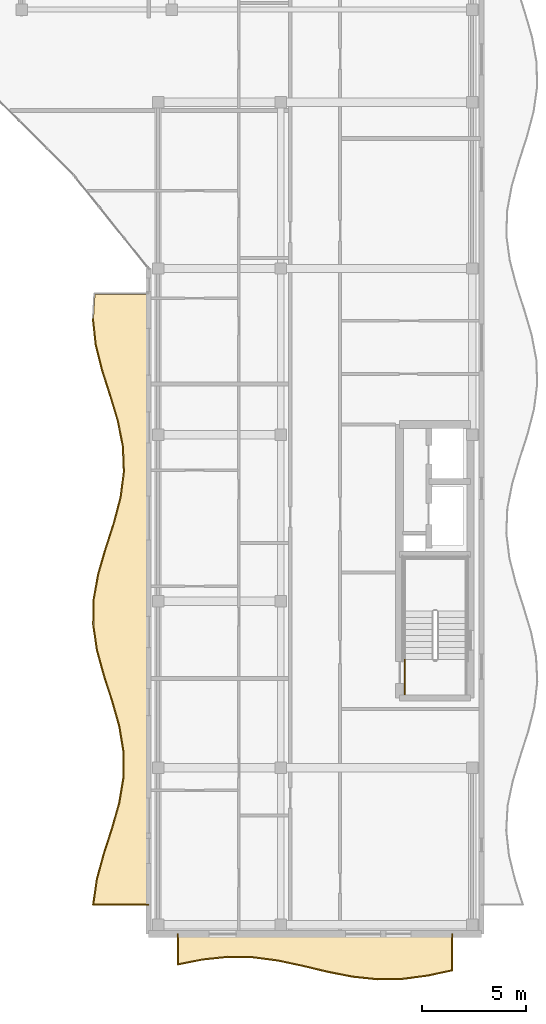
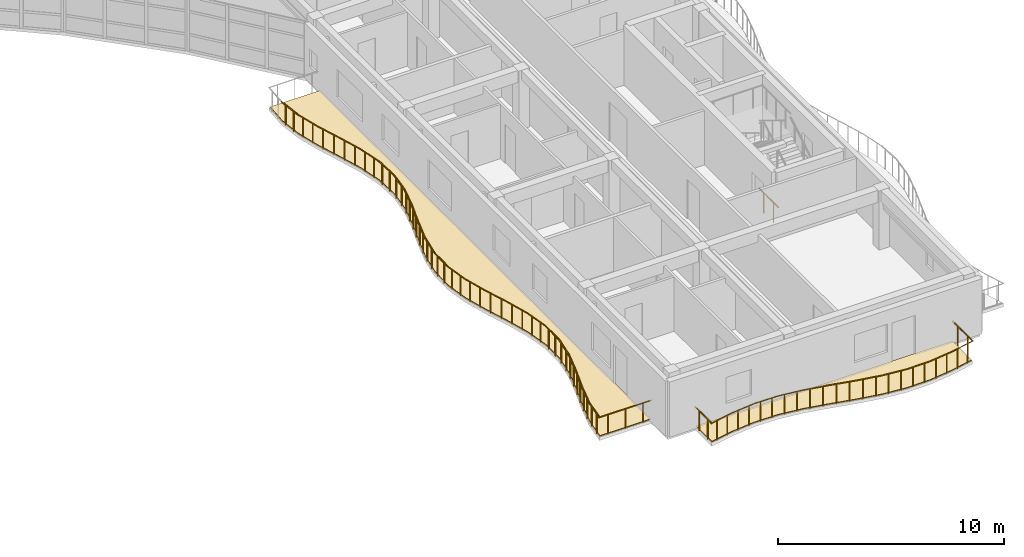
# One storey, part 49 of 54: 38 railings, 2 coverings.
"""IFC4 building model written with IfcOpenShell, lengths in metres."""

from ifc_helpers import new_model, si_unit, direction, frame, origin, origin_2d, place, context, subcontext, project, spatial, polyline, circle, outline, extrude, material, layer, layer_set, type_object, element, save


model = new_model("IFC4")

# Units and contexts
model_context = context("Model", 3, precision=1e-05, world=origin(), true_north=direction((0.0, 1.0)))
body_context = subcontext(model_context, "Body", "Model", "MODEL_VIEW")
ifc_project = project(units=[si_unit("LENGTHUNIT", "METRE"), si_unit("AREAUNIT", "SQUARE_METRE"), si_unit("VOLUMEUNIT", "CUBIC_METRE"), si_unit("PLANEANGLEUNIT", "RADIAN"), si_unit("MASSUNIT", "GRAM", prefix="KILO")], contexts=[model_context])

# Site, building, storey
site_placement = place(None, origin())
site = spatial("IfcSite", under=ifc_project, at=site_placement, CompositionType="ELEMENT")
building_placement = place(site_placement, origin())
building = spatial("IfcBuilding", under=site, at=building_placement, Name="Keldmere Railside Commons", CompositionType="ELEMENT")
storey_placement = place(building_placement, frame((0.0, 0.0, 26.56005859375)))
storey = spatial("IfcBuildingStorey", under=building, at=storey_placement, Name="L08", CompositionType="ELEMENT", Elevation=26.56005859375)

# Railings
ifc_material_1 = material(Name="Steel F-24 (S235)", Category="steel")
railing_type_1 = type_object("IfcRailingType", Name="Balcony & Terrace Steel Balustrade 1100", PredefinedType="BALUSTRADE", material=ifc_material_1)
railing_1_placement = place(storey_placement, frame((168.0, 57.39990234375, 0.0)))
element("IfcRailing", 1, at=railing_1_placement, inside=storey, type_object=railing_type_1, Name="GR-1 GRD-L08-4118", PredefinedType="BALUSTRADE", context=body_context, shape_type="SweptSolid", body=[
    extrude(circle(Radius=0.02392578125, at=origin_2d()), frame((0.0, 0.0, 1.076171875), z_axis=(-1.0, 0.0, 0.0), x_axis=(0.0, -1.0, 0.0)), (0.0, 0.0, 1.0), 2.685546875),
    extrude(circle(Radius=0.02099609375, at=origin_2d()), frame((-0.447509765625, 0.0, 0.0)), (0.0, 0.0, 1.0), 1.048095703125),
    extrude(circle(Radius=0.02099609375, at=origin_2d()), frame((-1.3427734375, 0.0, 0.0)), (0.0, 0.0, 1.0), 1.048095703125),
    extrude(circle(Radius=0.02099609375, at=origin_2d()), frame((-2.238037109375, 0.0, 0.0)), (0.0, 0.0, 1.0), 1.048095703125),
])
railing_2_placement = place(storey_placement, frame((165.314453125, 57.39990234375, 0.0)))
element("IfcRailing", 2, at=railing_2_placement, inside=storey, type_object=railing_type_1, Name="GR-1 GRD-L08-4119", PredefinedType="BALUSTRADE", context=body_context, shape_type="SweptSolid", body=[
    extrude(circle(Radius=0.02392578125, at=origin_2d()), frame((0.0, 0.0, 1.076171875), z_axis=(0.142995109875, 0.98972339497, 0.0), x_axis=(-0.98972339497, 0.142995109875, 0.0)), (0.0, 0.0, 1.0), 1.23779296875),
    extrude(circle(Radius=0.02099609375, at=origin_2d()), frame((0.044189453125, 0.30615234375, 0.0)), (0.0, 0.0, 1.0), 1.048095703125),
    extrude(circle(Radius=0.02099609375, at=origin_2d()), frame((0.1328125, 0.9189453125, 0.0)), (0.0, 0.0, 1.0), 1.048095703125),
])
railing_3_placement = place(storey_placement, frame((165.491455078125, 58.625, 0.0)))
element("IfcRailing", 3, at=railing_3_placement, inside=storey, type_object=railing_type_1, Name="GR-1 GRD-L08-4120", PredefinedType="BALUSTRADE", context=body_context, shape_type="SweptSolid", body=[
    extrude(circle(Radius=0.02392578125, at=origin_2d()), frame((0.0, 0.0, 1.076171875), z_axis=(0.262124627967, 0.965034030184, 0.0), x_axis=(-0.965034030184, 0.262124627967, 0.0)), (0.0, 0.0, 1.0), 1.26953125),
    extrude(circle(Radius=0.02099609375, at=origin_2d()), frame((0.083251953125, 0.30615234375, 0.0)), (0.0, 0.0, 1.0), 1.048095703125),
    extrude(circle(Radius=0.02099609375, at=origin_2d()), frame((0.24951171875, 0.9189453125, 0.0)), (0.0, 0.0, 1.0), 1.048095703125),
])
railing_4_placement = place(storey_placement, frame((165.82421875, 59.85009765625, 0.0)))
element("IfcRailing", 4, at=railing_4_placement, inside=storey, type_object=railing_type_1, Name="GR-1 GRD-L08-4121", PredefinedType="BALUSTRADE", context=body_context, shape_type="SweptSolid", body=[
    extrude(circle(Radius=0.02392578125, at=origin_2d()), frame((0.0, 0.0, 1.076171875), z_axis=(0.307623344655, 0.951508212168, 0.0), x_axis=(-0.951508212168, 0.307623344655, 0.0)), (0.0, 0.0, 1.0), 1.287353515625),
    extrude(circle(Radius=0.02099609375, at=origin_2d()), frame((0.09912109375, 0.30615234375, 0.0)), (0.0, 0.0, 1.0), 1.048095703125),
    extrude(circle(Radius=0.02099609375, at=origin_2d()), frame((0.296875, 0.918701171875, 0.0)), (0.0, 0.0, 1.0), 1.048095703125),
])
railing_5_placement = place(storey_placement, frame((166.22021484375, 61.074951171875, 0.0)))
element("IfcRailing", 5, at=railing_5_placement, inside=storey, type_object=railing_type_1, Name="GR-1 GRD-L08-4122", PredefinedType="BALUSTRADE", context=body_context, shape_type="SweptSolid", body=[
    extrude(circle(Radius=0.02392578125, at=origin_2d()), frame((0.0, 0.0, 1.076171875), z_axis=(0.2735310389, 0.961863176735, 0.0), x_axis=(-0.961863176735, 0.2735310389, 0.0)), (0.0, 0.0, 1.0), 1.273681640625),
    extrude(circle(Radius=0.02099609375, at=origin_2d()), frame((0.087158203125, 0.30615234375, 0.0)), (0.0, 0.0, 1.0), 1.048095703125),
    extrude(circle(Radius=0.02099609375, at=origin_2d()), frame((0.26123046875, 0.9189453125, 0.0)), (0.0, 0.0, 1.0), 1.048095703125),
])
railing_6_placement = place(storey_placement, frame((166.568603515625, 62.300048828125, 0.0)))
element("IfcRailing", 6, at=railing_6_placement, inside=storey, type_object=railing_type_1, Name="GR-1 GRD-L08-4123", PredefinedType="BALUSTRADE", context=body_context, shape_type="SweptSolid", body=[
    extrude(circle(Radius=0.02392578125, at=origin_2d()), frame((0.0, 0.0, 1.076171875), z_axis=(0.16398446801, 0.98646292087, 0.0), x_axis=(-0.98646292087, 0.16398446801, 0.0)), (0.0, 0.0, 1.0), 1.24169921875),
    extrude(circle(Radius=0.02099609375, at=origin_2d()), frame((0.05078125, 0.30615234375, 0.0)), (0.0, 0.0, 1.0), 1.048095703125),
    extrude(circle(Radius=0.02099609375, at=origin_2d()), frame((0.15283203125, 0.918701171875, 0.0)), (0.0, 0.0, 1.0), 1.048095703125),
])
railing_7_placement = place(storey_placement, frame((166.772216796875, 63.52490234375, 0.0)))
element("IfcRailing", 7, at=railing_7_placement, inside=storey, type_object=railing_type_1, Name="GR-1 GRD-L08-4124", PredefinedType="BALUSTRADE", context=body_context, shape_type="SweptSolid", body=[
    extrude(circle(Radius=0.02392578125, at=origin_2d()), frame((0.0, 0.0, 1.076171875), z_axis=(0.00179354036, 0.999998391605, 0.0), x_axis=(-0.999998391605, 0.00179354036, 0.0)), (0.0, 0.0, 1.0), 1.22509765625),
    extrude(circle(Radius=0.02099609375, at=origin_2d()), frame((0.00048828125, 0.30615234375, 0.0)), (0.0, 0.0, 1.0), 1.048095703125),
    extrude(circle(Radius=0.02099609375, at=origin_2d()), frame((0.001708984375, 0.9189453125, 0.0)), (0.0, 0.0, 1.0), 1.048095703125),
])
railing_8_placement = place(storey_placement, frame((166.7744140625, 64.75, 0.0)))
element("IfcRailing", 8, at=railing_8_placement, inside=storey, type_object=railing_type_1, Name="GR-1 GRD-L08-4125", PredefinedType="BALUSTRADE", context=body_context, shape_type="SweptSolid", body=[
    extrude(circle(Radius=0.02392578125, at=origin_2d()), frame((0.0, 0.0, 1.076171875), z_axis=(-0.160889487013, 0.986972427664, 0.0), x_axis=(-0.986972427664, -0.160889487013, 0.0)), (0.0, 0.0, 1.0), 1.2412109375),
    extrude(circle(Radius=0.02099609375, at=origin_2d()), frame((-0.0498046875, 0.30615234375, 0.0)), (0.0, 0.0, 1.0), 1.048095703125),
    extrude(circle(Radius=0.02099609375, at=origin_2d()), frame((-0.14990234375, 0.9189453125, 0.0)), (0.0, 0.0, 1.0), 1.048095703125),
])
railing_9_placement = place(storey_placement, frame((166.57470703125, 65.97509765625, 0.0)))
element("IfcRailing", 9, at=railing_9_placement, inside=storey, type_object=railing_type_1, Name="GR-1 GRD-L08-4126", PredefinedType="BALUSTRADE", context=body_context, shape_type="SweptSolid", body=[
    extrude(circle(Radius=0.02392578125, at=origin_2d()), frame((0.0, 0.0, 1.076171875), z_axis=(-0.271984034546, 0.962301763976, 0.0), x_axis=(-0.962301763976, -0.271984034546, 0.0)), (0.0, 0.0, 1.0), 1.27294921875),
    extrude(circle(Radius=0.02099609375, at=origin_2d()), frame((-0.08642578125, 0.30615234375, 0.0)), (0.0, 0.0, 1.0), 1.048095703125),
    extrude(circle(Radius=0.02099609375, at=origin_2d()), frame((-0.259765625, 0.918701171875, 0.0)), (0.0, 0.0, 1.0), 1.048095703125),
])
railing_10_placement = place(storey_placement, frame((166.228515625, 67.199951171875, 0.0)))
element("IfcRailing", 10, at=railing_10_placement, inside=storey, type_object=railing_type_1, Name="GR-1 GRD-L08-4127", PredefinedType="BALUSTRADE", context=body_context, shape_type="SweptSolid", body=[
    extrude(circle(Radius=0.02392578125, at=origin_2d()), frame((0.0, 0.0, 1.076171875), z_axis=(-0.307567840436, 0.951526154937, 0.0), x_axis=(-0.951526154937, -0.307567840436, 0.0)), (0.0, 0.0, 1.0), 1.28759765625),
    extrude(circle(Radius=0.02099609375, at=origin_2d()), frame((-0.09912109375, 0.30615234375, 0.0)), (0.0, 0.0, 1.0), 1.048095703125),
    extrude(circle(Radius=0.02099609375, at=origin_2d()), frame((-0.296875, 0.9189453125, 0.0)), (0.0, 0.0, 1.0), 1.048095703125),
])
railing_11_placement = place(storey_placement, frame((165.83251953125, 68.425048828125, 0.0)))
element("IfcRailing", 11, at=railing_11_placement, inside=storey, type_object=railing_type_1, Name="GR-1 GRD-L08-4128", PredefinedType="BALUSTRADE", context=body_context, shape_type="SweptSolid", body=[
    extrude(circle(Radius=0.02392578125, at=origin_2d()), frame((0.0, 0.0, 1.076171875), z_axis=(-0.263963217365, 0.964532746919, 0.0), x_axis=(-0.964532746919, -0.263963217365, 0.0)), (0.0, 0.0, 1.0), 1.269775390625),
    extrude(circle(Radius=0.02099609375, at=origin_2d()), frame((-0.083740234375, 0.30615234375, 0.0)), (0.0, 0.0, 1.0), 1.048095703125),
    extrude(circle(Radius=0.02099609375, at=origin_2d()), frame((-0.25146484375, 0.918701171875, 0.0)), (0.0, 0.0, 1.0), 1.048095703125),
])
railing_12_placement = place(storey_placement, frame((165.497314453125, 69.64990234375, 0.0)))
element("IfcRailing", 12, at=railing_12_placement, inside=storey, type_object=railing_type_1, Name="GR-1 GRD-L08-4129", PredefinedType="BALUSTRADE", context=body_context, shape_type="SweptSolid", body=[
    extrude(circle(Radius=0.02392578125, at=origin_2d()), frame((0.0, 0.0, 1.076171875), z_axis=(-0.146277159404, 0.989243646751, 0.0), x_axis=(-0.989243646751, -0.146277159404, 0.0)), (0.0, 0.0, 1.0), 1.238525390625),
    extrude(circle(Radius=0.02099609375, at=origin_2d()), frame((-0.04541015625, 0.30615234375, 0.0)), (0.0, 0.0, 1.0), 1.048095703125),
    extrude(circle(Radius=0.02099609375, at=origin_2d()), frame((-0.1357421875, 0.9189453125, 0.0)), (0.0, 0.0, 1.0), 1.048095703125),
])
railing_13_placement = place(storey_placement, frame((165.316162109375, 70.875, 0.0)))
element("IfcRailing", 13, at=railing_13_placement, inside=storey, type_object=railing_type_1, Name="GR-1 GRD-L08-4130", PredefinedType="BALUSTRADE", context=body_context, shape_type="SweptSolid", body=[
    extrude(circle(Radius=0.02392578125, at=origin_2d()), frame((0.0, 0.0, 1.076171875), z_axis=(0.019127627903, 0.99981705019, 0.0), x_axis=(-0.99981705019, 0.019127627903, 0.0)), (0.0, 0.0, 1.0), 1.225341796875),
    extrude(circle(Radius=0.02099609375, at=origin_2d()), frame((0.005859375, 0.30615234375, 0.0)), (0.0, 0.0, 1.0), 1.048095703125),
    extrude(circle(Radius=0.02099609375, at=origin_2d()), frame((0.017578125, 0.9189453125, 0.0)), (0.0, 0.0, 1.0), 1.048095703125),
])
railing_14_placement = place(storey_placement, frame((165.339599609375, 72.10009765625, 0.0)))
element("IfcRailing", 14, at=railing_14_placement, inside=storey, type_object=railing_type_1, Name="GR-1 GRD-L08-4131", PredefinedType="BALUSTRADE", context=body_context, shape_type="SweptSolid", body=[
    extrude(circle(Radius=0.02392578125, at=origin_2d()), frame((0.0, 0.0, 1.076171875), z_axis=(0.178281326939, 0.983979556934, 0.0), x_axis=(-0.983979556934, 0.178281326939, 0.0)), (0.0, 0.0, 1.0), 1.244873046875),
    extrude(circle(Radius=0.02099609375, at=origin_2d()), frame((0.055419921875, 0.30615234375, 0.0)), (0.0, 0.0, 1.0), 1.048095703125),
    extrude(circle(Radius=0.02099609375, at=origin_2d()), frame((0.16650390625, 0.918701171875, 0.0)), (0.0, 0.0, 1.0), 1.048095703125),
])
railing_15_placement = place(storey_placement, frame((165.5615234375, 73.324951171875, 0.0)))
element("IfcRailing", 15, at=railing_15_placement, inside=storey, type_object=railing_type_1, Name="GR-1 GRD-L08-4132", PredefinedType="BALUSTRADE", context=body_context, shape_type="SweptSolid", body=[
    extrude(circle(Radius=0.02392578125, at=origin_2d()), frame((0.0, 0.0, 1.076171875), z_axis=(0.280426005716, 0.959875645758, 0.0), x_axis=(-0.959875645758, 0.280426005716, 0.0)), (0.0, 0.0, 1.0), 1.2763671875),
    extrude(circle(Radius=0.02099609375, at=origin_2d()), frame((0.08935546875, 0.30615234375, 0.0)), (0.0, 0.0, 1.0), 1.048095703125),
    extrude(circle(Radius=0.02099609375, at=origin_2d()), frame((0.2685546875, 0.9189453125, 0.0)), (0.0, 0.0, 1.0), 1.048095703125),
])
railing_16_placement = place(storey_placement, frame((165.91943359375, 74.550048828125, 0.0)))
element("IfcRailing", 16, at=railing_16_placement, inside=storey, type_object=railing_type_1, Name="GR-1 GRD-L08-4133", PredefinedType="BALUSTRADE", context=body_context, shape_type="SweptSolid", body=[
    extrude(circle(Radius=0.02392578125, at=origin_2d()), frame((0.0, 0.0, 1.076171875), z_axis=(0.306592548938, 0.951840852735, 0.0), x_axis=(-0.951840852735, 0.306592548938, 0.0)), (0.0, 0.0, 1.0), 1.286865234375),
    extrude(circle(Radius=0.02099609375, at=origin_2d()), frame((0.0986328125, 0.30615234375, 0.0)), (0.0, 0.0, 1.0), 1.048095703125),
    extrude(circle(Radius=0.02099609375, at=origin_2d()), frame((0.2958984375, 0.918701171875, 0.0)), (0.0, 0.0, 1.0), 1.048095703125),
])
railing_17_placement = place(storey_placement, frame((166.31396484375, 75.77490234375, 0.0)))
element("IfcRailing", 17, at=railing_17_placement, inside=storey, type_object=railing_type_1, Name="GR-1 GRD-L08-4134", PredefinedType="BALUSTRADE", context=body_context, shape_type="SweptSolid", body=[
    extrude(circle(Radius=0.02392578125, at=origin_2d()), frame((0.0, 0.0, 1.076171875), z_axis=(0.253316437358, 0.967383472344, 0.0), x_axis=(-0.967383472344, 0.253316437358, 0.0)), (0.0, 0.0, 1.0), 1.266357421875),
    extrude(circle(Radius=0.02099609375, at=origin_2d()), frame((0.080078125, 0.30615234375, 0.0)), (0.0, 0.0, 1.0), 1.048095703125),
    extrude(circle(Radius=0.02099609375, at=origin_2d()), frame((0.24072265625, 0.9189453125, 0.0)), (0.0, 0.0, 1.0), 1.048095703125),
])
railing_18_placement = place(storey_placement, frame((166.634765625, 77.0, 0.0)))
element("IfcRailing", 18, at=railing_18_placement, inside=storey, type_object=railing_type_1, Name="GR-1 GRD-L08-4135", PredefinedType="BALUSTRADE", context=body_context, shape_type="SweptSolid", body=[
    extrude(circle(Radius=0.02392578125, at=origin_2d()), frame((0.0, 0.0, 1.076171875), z_axis=(0.127682846046, 0.991815048699, 0.0), x_axis=(-0.991815048699, 0.127682846046, 0.0)), (0.0, 0.0, 1.0), 1.235107421875),
    extrude(circle(Radius=0.02099609375, at=origin_2d()), frame((0.03955078125, 0.30615234375, 0.0)), (0.0, 0.0, 1.0), 1.048095703125),
    extrude(circle(Radius=0.02099609375, at=origin_2d()), frame((0.1181640625, 0.9189453125, 0.0)), (0.0, 0.0, 1.0), 1.048095703125),
])
railing_19_placement = place(storey_placement, frame((166.79248046875, 78.22509765625, 0.0)))
element("IfcRailing", 19, at=railing_19_placement, inside=storey, type_object=railing_type_1, Name="GR-1 GRD-L08-4136", PredefinedType="BALUSTRADE", context=body_context, shape_type="SweptSolid", body=[
    extrude(circle(Radius=0.02392578125, at=origin_2d()), frame((0.0, 0.0, 1.076171875), z_axis=(-0.040429345655, 0.99918239977, 0.0), x_axis=(-0.99918239977, -0.040429345655, 0.0)), (0.0, 0.0, 1.0), 1.225830078125),
    extrude(circle(Radius=0.02099609375, at=origin_2d()), frame((-0.012451171875, 0.30615234375, 0.0)), (0.0, 0.0, 1.0), 1.048095703125),
    extrude(circle(Radius=0.02099609375, at=origin_2d()), frame((-0.037109375, 0.918701171875, 0.0)), (0.0, 0.0, 1.0), 1.048095703125),
])
railing_20_placement = place(storey_placement, frame((166.742919921875, 79.449951171875, 0.0)))
element("IfcRailing", 20, at=railing_20_placement, inside=storey, type_object=railing_type_1, Name="GR-1 GRD-L08-4137", PredefinedType="BALUSTRADE", context=body_context, shape_type="SweptSolid", body=[
    extrude(circle(Radius=0.02392578125, at=origin_2d()), frame((0.0, 0.0, 1.076171875), z_axis=(-0.194311333183, 0.980939909371, 0.0), x_axis=(-0.980939909371, -0.194311333183, 0.0)), (0.0, 0.0, 1.0), 1.2490234375),
    extrude(circle(Radius=0.02099609375, at=origin_2d()), frame((-0.060546875, 0.30615234375, 0.0)), (0.0, 0.0, 1.0), 1.048095703125),
    extrude(circle(Radius=0.02099609375, at=origin_2d()), frame((-0.18212890625, 0.9189453125, 0.0)), (0.0, 0.0, 1.0), 1.048095703125),
])
railing_21_placement = place(storey_placement, frame((166.500244140625, 80.675048828125, 0.0)))
element("IfcRailing", 21, at=railing_21_placement, inside=storey, type_object=railing_type_1, Name="GR-1 GRD-L08-4138", PredefinedType="BALUSTRADE", context=body_context, shape_type="SweptSolid", body=[
    extrude(circle(Radius=0.02392578125, at=origin_2d()), frame((0.0, 0.0, 1.076171875), z_axis=(-0.288030760685, 0.957621157295, 0.0), x_axis=(-0.957621157295, -0.288030760685, 0.0)), (0.0, 0.0, 1.0), 1.279052734375),
    extrude(circle(Radius=0.02099609375, at=origin_2d()), frame((-0.092041015625, 0.30615234375, 0.0)), (0.0, 0.0, 1.0), 1.048095703125),
    extrude(circle(Radius=0.02099609375, at=origin_2d()), frame((-0.2763671875, 0.918701171875, 0.0)), (0.0, 0.0, 1.0), 1.048095703125),
])
railing_22_placement = place(storey_placement, frame((166.1318359375, 81.89990234375, 0.0)))
element("IfcRailing", 22, at=railing_22_placement, inside=storey, type_object=railing_type_1, Name="GR-1 GRD-L08-4139", PredefinedType="BALUSTRADE", context=body_context, shape_type="SweptSolid", body=[
    extrude(circle(Radius=0.02392578125, at=origin_2d()), frame((0.0, 0.0, 1.076171875), z_axis=(-0.304128152229, 0.952631128518, 0.0), x_axis=(-0.952631128518, -0.304128152229, 0.0)), (0.0, 0.0, 1.0), 1.2861328125),
    extrude(circle(Radius=0.02099609375, at=origin_2d()), frame((-0.09765625, 0.30615234375, 0.0)), (0.0, 0.0, 1.0), 1.048095703125),
    extrude(circle(Radius=0.02099609375, at=origin_2d()), frame((-0.29345703125, 0.9189453125, 0.0)), (0.0, 0.0, 1.0), 1.048095703125),
])
railing_23_placement = place(storey_placement, frame((165.74072265625, 83.125, 0.0)))
element("IfcRailing", 23, at=railing_23_placement, inside=storey, type_object=railing_type_1, Name="GR-1 GRD-L08-4140", PredefinedType="BALUSTRADE", context=body_context, shape_type="SweptSolid", body=[
    extrude(circle(Radius=0.02392578125, at=origin_2d()), frame((0.0, 0.0, 1.076171875), z_axis=(-0.241534458276, 0.970392243098, 0.0), x_axis=(-0.970392243098, -0.241534458276, 0.0)), (0.0, 0.0, 1.0), 1.262451171875),
    extrude(circle(Radius=0.02099609375, at=origin_2d()), frame((-0.076171875, 0.30615234375, 0.0)), (0.0, 0.0, 1.0), 1.048095703125),
    extrude(circle(Radius=0.02099609375, at=origin_2d()), frame((-0.228759765625, 0.9189453125, 0.0)), (0.0, 0.0, 1.0), 1.048095703125),
])
railing_24_placement = place(storey_placement, frame((165.435791015625, 84.35009765625, 0.0)))
element("IfcRailing", 24, at=railing_24_placement, inside=storey, type_object=railing_type_1, Name="GR-1 GRD-L08-4141", PredefinedType="BALUSTRADE", context=body_context, shape_type="SweptSolid", body=[
    extrude(circle(Radius=0.02392578125, at=origin_2d()), frame((0.0, 0.0, 1.076171875), z_axis=(-0.108386984516, 0.994108777543, 0.0), x_axis=(-0.994108777543, -0.108386984516, 0.0)), (0.0, 0.0, 1.0), 1.232177734375),
    extrude(circle(Radius=0.02099609375, at=origin_2d()), frame((-0.033447265625, 0.30615234375, 0.0)), (0.0, 0.0, 1.0), 1.048095703125),
    extrude(circle(Radius=0.02099609375, at=origin_2d()), frame((-0.10009765625, 0.918701171875, 0.0)), (0.0, 0.0, 1.0), 1.048095703125),
])
railing_25_placement = place(storey_placement, frame((169.39990234375, 56.0, 0.0)))
element("IfcRailing", 25, at=railing_25_placement, inside=storey, type_object=railing_type_1, Name="GR-1 GRD-L08-4207", PredefinedType="BALUSTRADE", context=body_context, shape_type="SweptSolid", body=[
    extrude(circle(Radius=0.02392578125, at=origin_2d()), frame((0.0, 0.0, 1.076171875), z_axis=(0.0, -1.0, 0.0), x_axis=(1.0, 0.0, 0.0)), (0.0, 0.0, 1.0), 1.474365234375),
    extrude(circle(Radius=0.02099609375, at=origin_2d()), frame((0.0, -0.36865234375, 0.0)), (0.0, 0.0, 1.0), 1.048095703125),
    extrude(circle(Radius=0.02099609375, at=origin_2d()), frame((0.0, -1.105712890625, 0.0)), (0.0, 0.0, 1.0), 1.048095703125),
])
railing_26_placement = place(storey_placement, frame((169.39990234375, 54.525634765625, 0.0)))
element("IfcRailing", 26, at=railing_26_placement, inside=storey, type_object=railing_type_1, Name="GR-1 GRD-L08-4208", PredefinedType="BALUSTRADE", context=body_context, shape_type="SweptSolid", body=[
    extrude(circle(Radius=0.02392578125, at=origin_2d()), frame((0.0, 0.0, 1.076171875), z_axis=(0.981046084063, 0.19377456217, 0.0), x_axis=(-0.19377456217, 0.981046084063, 0.0)), (0.0, 0.0, 1.0), 1.223388671875),
    extrude(circle(Radius=0.02099609375, at=origin_2d()), frame((0.300048828125, 0.059326171875, 0.0)), (0.0, 0.0, 1.0), 1.048095703125),
    extrude(circle(Radius=0.02099609375, at=origin_2d()), frame((0.900146484375, 0.177734375, 0.0)), (0.0, 0.0, 1.0), 1.048095703125),
])
railing_27_placement = place(storey_placement, frame((170.60009765625, 54.7626953125, 0.0)))
element("IfcRailing", 27, at=railing_27_placement, inside=storey, type_object=railing_type_1, Name="GR-1 GRD-L08-4209", PredefinedType="BALUSTRADE", context=body_context, shape_type="SweptSolid", body=[
    extrude(circle(Radius=0.02392578125, at=origin_2d()), frame((0.0, 0.0, 1.076171875), z_axis=(0.994492140462, 0.104811175739, 0.0), x_axis=(-0.104811175739, 0.994492140462, 0.0)), (0.0, 0.0, 1.0), 1.20654296875),
    extrude(circle(Radius=0.02099609375, at=origin_2d()), frame((0.300048828125, 0.03173828125, 0.0)), (0.0, 0.0, 1.0), 1.048095703125),
    extrude(circle(Radius=0.02099609375, at=origin_2d()), frame((0.89990234375, 0.0947265625, 0.0)), (0.0, 0.0, 1.0), 1.048095703125),
])
railing_28_placement = place(storey_placement, frame((171.800048828125, 54.88916015625, 0.0)))
element("IfcRailing", 28, at=railing_28_placement, inside=storey, type_object=railing_type_1, Name="GR-1 GRD-L08-4210", PredefinedType="BALUSTRADE", context=body_context, shape_type="SweptSolid", body=[
    extrude(circle(Radius=0.02392578125, at=origin_2d()), frame((0.0, 0.0, 1.076171875), z_axis=(0.999886678433, -0.015054245006, 0.0), x_axis=(0.015054245006, 0.999886678433, 0.0)), (0.0, 0.0, 1.0), 1.2001953125),
    extrude(circle(Radius=0.02099609375, at=origin_2d()), frame((0.300048828125, -0.00439453125, 0.0)), (0.0, 0.0, 1.0), 1.048095703125),
    extrude(circle(Radius=0.02099609375, at=origin_2d()), frame((0.89990234375, -0.013671875, 0.0)), (0.0, 0.0, 1.0), 1.048095703125),
])
railing_29_placement = place(storey_placement, frame((173.0, 54.87109375, 0.0)))
element("IfcRailing", 29, at=railing_29_placement, inside=storey, type_object=railing_type_1, Name="GR-1 GRD-L08-4211", PredefinedType="BALUSTRADE", context=body_context, shape_type="SweptSolid", body=[
    extrude(circle(Radius=0.02392578125, at=origin_2d()), frame((0.0, 0.0, 1.076171875), z_axis=(0.991472823805, -0.130313620382, 0.0), x_axis=(0.130313620382, 0.991472823805, 0.0)), (0.0, 0.0, 1.0), 1.210205078125),
    extrude(circle(Radius=0.02099609375, at=origin_2d()), frame((0.300048828125, -0.03955078125, 0.0)), (0.0, 0.0, 1.0), 1.048095703125),
    extrude(circle(Radius=0.02099609375, at=origin_2d()), frame((0.89990234375, -0.1181640625, 0.0)), (0.0, 0.0, 1.0), 1.048095703125),
])
railing_30_placement = place(storey_placement, frame((174.199951171875, 54.71337890625, 0.0)))
element("IfcRailing", 30, at=railing_30_placement, inside=storey, type_object=railing_type_1, Name="GR-1 GRD-L08-4212", PredefinedType="BALUSTRADE", context=body_context, shape_type="SweptSolid", body=[
    extrude(circle(Radius=0.02392578125, at=origin_2d()), frame((0.0, 0.0, 1.076171875), z_axis=(0.978176550477, -0.207775446327, 0.0), x_axis=(0.207775446327, 0.978176550477, 0.0)), (0.0, 0.0, 1.0), 1.226806640625),
    extrude(circle(Radius=0.02099609375, at=origin_2d()), frame((0.300048828125, -0.063720703125, 0.0)), (0.0, 0.0, 1.0), 1.048095703125),
    extrude(circle(Radius=0.02099609375, at=origin_2d()), frame((0.89990234375, -0.191162109375, 0.0)), (0.0, 0.0, 1.0), 1.048095703125),
])
railing_31_placement = place(storey_placement, frame((175.39990234375, 54.45849609375, 0.0)))
element("IfcRailing", 31, at=railing_31_placement, inside=storey, type_object=railing_type_1, Name="GR-1 GRD-L08-4213", PredefinedType="BALUSTRADE", context=body_context, shape_type="SweptSolid", body=[
    extrude(circle(Radius=0.02392578125, at=origin_2d()), frame((0.0, 0.0, 1.076171875), z_axis=(0.973094304042, -0.230407194855, 0.0), x_axis=(0.230407194855, 0.973094304042, 0.0)), (0.0, 0.0, 1.0), 1.2333984375),
    extrude(circle(Radius=0.02099609375, at=origin_2d()), frame((0.300048828125, -0.071044921875, 0.0)), (0.0, 0.0, 1.0), 1.048095703125),
    extrude(circle(Radius=0.02099609375, at=origin_2d()), frame((0.900146484375, -0.213134765625, 0.0)), (0.0, 0.0, 1.0), 1.048095703125),
])
railing_32_placement = place(storey_placement, frame((176.60009765625, 54.17431640625, 0.0)))
element("IfcRailing", 32, at=railing_32_placement, inside=storey, type_object=railing_type_1, Name="GR-1 GRD-L08-4214", PredefinedType="BALUSTRADE", context=body_context, shape_type="SweptSolid", body=[
    extrude(circle(Radius=0.02392578125, at=origin_2d()), frame((0.0, 0.0, 1.076171875), z_axis=(0.981038588598, -0.193812506516, 0.0), x_axis=(0.193812506516, 0.981038588598, 0.0)), (0.0, 0.0, 1.0), 1.22314453125),
    extrude(circle(Radius=0.02099609375, at=origin_2d()), frame((0.300048828125, -0.059326171875, 0.0)), (0.0, 0.0, 1.0), 1.048095703125),
    extrude(circle(Radius=0.02099609375, at=origin_2d()), frame((0.89990234375, -0.177734375, 0.0)), (0.0, 0.0, 1.0), 1.048095703125),
])
railing_33_placement = place(storey_placement, frame((177.800048828125, 53.937255859375, 0.0)))
element("IfcRailing", 33, at=railing_33_placement, inside=storey, type_object=railing_type_1, Name="GR-1 GRD-L08-4215", PredefinedType="BALUSTRADE", context=body_context, shape_type="SweptSolid", body=[
    extrude(circle(Radius=0.02392578125, at=origin_2d()), frame((0.0, 0.0, 1.076171875), z_axis=(0.994492140462, -0.104811175739, 0.0), x_axis=(0.104811175739, 0.994492140462, 0.0)), (0.0, 0.0, 1.0), 1.20654296875),
    extrude(circle(Radius=0.02099609375, at=origin_2d()), frame((0.300048828125, -0.03173828125, 0.0)), (0.0, 0.0, 1.0), 1.048095703125),
    extrude(circle(Radius=0.02099609375, at=origin_2d()), frame((0.89990234375, -0.0947265625, 0.0)), (0.0, 0.0, 1.0), 1.048095703125),
])
railing_34_placement = place(storey_placement, frame((179.0, 53.810791015625, 0.0)))
element("IfcRailing", 34, at=railing_34_placement, inside=storey, type_object=railing_type_1, Name="GR-1 GRD-L08-4216", PredefinedType="BALUSTRADE", context=body_context, shape_type="SweptSolid", body=[
    extrude(circle(Radius=0.02392578125, at=origin_2d()), frame((0.0, 0.0, 1.076171875), z_axis=(0.999886678433, 0.015054245006, 0.0), x_axis=(-0.015054245006, 0.999886678433, 0.0)), (0.0, 0.0, 1.0), 1.2001953125),
    extrude(circle(Radius=0.02099609375, at=origin_2d()), frame((0.300048828125, 0.00439453125, 0.0)), (0.0, 0.0, 1.0), 1.048095703125),
    extrude(circle(Radius=0.02099609375, at=origin_2d()), frame((0.89990234375, 0.013671875, 0.0)), (0.0, 0.0, 1.0), 1.048095703125),
])
railing_35_placement = place(storey_placement, frame((180.199951171875, 53.828857421875, 0.0)))
element("IfcRailing", 35, at=railing_35_placement, inside=storey, type_object=railing_type_1, Name="GR-1 GRD-L08-4217", PredefinedType="BALUSTRADE", context=body_context, shape_type="SweptSolid", body=[
    extrude(circle(Radius=0.02392578125, at=origin_2d()), frame((0.0, 0.0, 1.076171875), z_axis=(0.991472823805, 0.130313620382, 0.0), x_axis=(-0.130313620382, 0.991472823805, 0.0)), (0.0, 0.0, 1.0), 1.210205078125),
    extrude(circle(Radius=0.02099609375, at=origin_2d()), frame((0.300048828125, 0.03955078125, 0.0)), (0.0, 0.0, 1.0), 1.048095703125),
    extrude(circle(Radius=0.02099609375, at=origin_2d()), frame((0.89990234375, 0.1181640625, 0.0)), (0.0, 0.0, 1.0), 1.048095703125),
])
railing_36_placement = place(storey_placement, frame((181.39990234375, 53.986572265625, 0.0)))
element("IfcRailing", 36, at=railing_36_placement, inside=storey, type_object=railing_type_1, Name="GR-1 GRD-L08-4218", PredefinedType="BALUSTRADE", context=body_context, shape_type="SweptSolid", body=[
    extrude(circle(Radius=0.02392578125, at=origin_2d()), frame((0.0, 0.0, 1.076171875), z_axis=(0.978144689505, 0.207925386601, 0.0), x_axis=(-0.207925386601, 0.978144689505, 0.0)), (0.0, 0.0, 1.0), 1.22705078125),
    extrude(circle(Radius=0.02099609375, at=origin_2d()), frame((0.300048828125, 0.063720703125, 0.0)), (0.0, 0.0, 1.0), 1.048095703125),
    extrude(circle(Radius=0.02099609375, at=origin_2d()), frame((0.900146484375, 0.19140625, 0.0)), (0.0, 0.0, 1.0), 1.048095703125),
])
railing_37_placement = place(storey_placement, frame((182.60009765625, 54.24169921875, 0.0)))
element("IfcRailing", 37, at=railing_37_placement, inside=storey, type_object=railing_type_1, Name="GR-1 GRD-L08-4219", PredefinedType="BALUSTRADE", context=body_context, shape_type="SweptSolid", body=[
    extrude(circle(Radius=0.02392578125, at=origin_2d()), frame((0.0, 0.0, 1.076171875), z_axis=(0.0, 1.0, 0.0), x_axis=(-1.0, 0.0, 0.0)), (0.0, 0.0, 1.0), 1.75830078125),
    extrude(circle(Radius=0.02099609375, at=origin_2d()), frame((0.0, 0.439453125, 0.0)), (0.0, 0.0, 1.0), 1.048095703125),
    extrude(circle(Radius=0.02099609375, at=origin_2d()), frame((0.0, 1.31884765625, 0.0)), (0.0, 0.0, 1.0), 1.048095703125),
])
railing_type_2 = type_object("IfcRailingType", Name="Stair Well Steel Guardrail 1100", PredefinedType="BALUSTRADE", material=ifc_material_1)
railing_38_placement = place(storey_placement, frame((180.300048828125, 67.5, 0.0)))
element("IfcRailing", 38, at=railing_38_placement, inside=storey, type_object=railing_type_2, Name="L08 ST-A1 stair guard 9", PredefinedType="BALUSTRADE", context=body_context, shape_type="SweptSolid", body=[
    extrude(circle(Radius=0.02392578125, at=origin_2d()), frame((0.0, 0.0, 1.076171875), z_axis=(0.0, 1.0, 0.0), x_axis=(-1.0, 0.0, 0.0)), (0.0, 0.0, 1.0), 1.699951171875),
    extrude(circle(Radius=0.02099609375, at=origin_2d()), frame((0.0, 0.425048828125, 0.0)), (0.0, 0.0, 1.0), 1.048095703125),
    extrude(circle(Radius=0.02099609375, at=origin_2d()), frame((0.0, 1.27490234375, 0.0)), (0.0, 0.0, 1.0), 1.048095703125),
])

# Coverings
ifc_material_2 = material(Name="White Precast Concrete C35/45", Category="concrete")
ifc_layer = layer(ifc_material_2, 0.044921875, Name="White Architectural Balcony Ribbon Cladding 45")
ifc_layer_set = layer_set([ifc_layer], Name="White Precast Concrete C35/45")
covering_type = type_object("IfcCoveringType", Name="White Architectural Balcony Ribbon Cladding 45", PredefinedType="FLOORING", material=ifc_layer_set)
covering_1_placement = place(storey_placement, origin())
element("IfcCovering", 39, at=covering_1_placement, inside=storey, type_object=covering_type, Name="CLG-WB A L08 CW White Balcony Ribbon", PredefinedType="FLOORING", context=body_context, shape_type="SweptSolid", body=[
    extrude(outline(polyline([(167.9599609375, 86.760009765625), (165.414794921875, 86.760009765625), (165.34228515625, 85.575927734375), (165.475341796875, 84.35693359375), (165.779296875, 83.135986328125), (166.169921875, 81.912109375), (166.170166015625, 81.91162109375), (166.53857421875, 80.6865234375), (166.53955078125, 80.682861328125), (166.7822265625, 79.457763671875), (166.78271484375, 79.45458984375), (166.782958984375, 79.45166015625), (166.83251953125, 78.2265625), (166.83251953125, 78.22314453125), (166.83203125, 78.219970703125), (166.674560546875, 76.994873046875), (166.673583984375, 76.989990234375), (166.352783203125, 75.764892578125), (166.35205078125, 75.7626953125), (165.957763671875, 74.538330078125), (165.6005859375, 73.31591796875), (165.379638671875, 72.095947265625), (165.356201171875, 70.877685546875), (165.536376953125, 69.658203125), (165.870849609375, 68.436279296875), (166.2666015625, 67.21240234375), (166.26708984375, 67.2109375), (166.61328125, 65.98583984375), (166.6142578125, 65.9814453125), (166.81396484375, 64.75634765625), (166.814453125, 64.753173828125), (166.814453125, 64.75), (166.812255859375, 63.52490234375), (166.81201171875, 63.521728515625), (166.811767578125, 63.518310546875), (166.60791015625, 62.29345703125), (166.60693359375, 62.2890625), (166.258544921875, 61.064208984375), (166.25830078125, 61.062744140625), (165.862548828125, 59.838623046875), (165.530517578125, 58.616943359375), (165.360595703125, 57.43994140625), (167.9599609375, 57.43994140625), (167.9599609375, 86.760009765625)])), origin(), (0.0, 0.0, 1.0), 0.044921875),
])
covering_2_placement = place(storey_placement, origin())
element("IfcCovering", 40, at=covering_2_placement, inside=storey, type_object=covering_type, Name="CLG-WB A L08 S White Balcony Ribbon", PredefinedType="FLOORING", context=body_context, shape_type="SweptSolid", body=[
    extrude(outline(polyline([(170.59228515625, 54.802001953125), (170.595703125, 54.802490234375), (171.7958984375, 54.928955078125), (171.800537109375, 54.92919921875), (173.00048828125, 54.9111328125), (173.005126953125, 54.910888671875), (174.205078125, 54.753173828125), (174.208251953125, 54.752685546875), (175.408203125, 54.49755859375), (175.4091796875, 54.497314453125), (176.6083984375, 54.21337890625), (177.805908203125, 53.976806640625), (179.001708984375, 53.850830078125), (180.197021484375, 53.868896484375), (181.393310546875, 54.02587890625), (182.56005859375, 54.27392578125), (182.56005859375, 55.9599609375), (169.43994140625, 55.9599609375), (169.43994140625, 54.574462890625), (170.59228515625, 54.802001953125)])), origin(), (0.0, 0.0, 1.0), 0.044921875),
])

save(model, "model.ifc")
